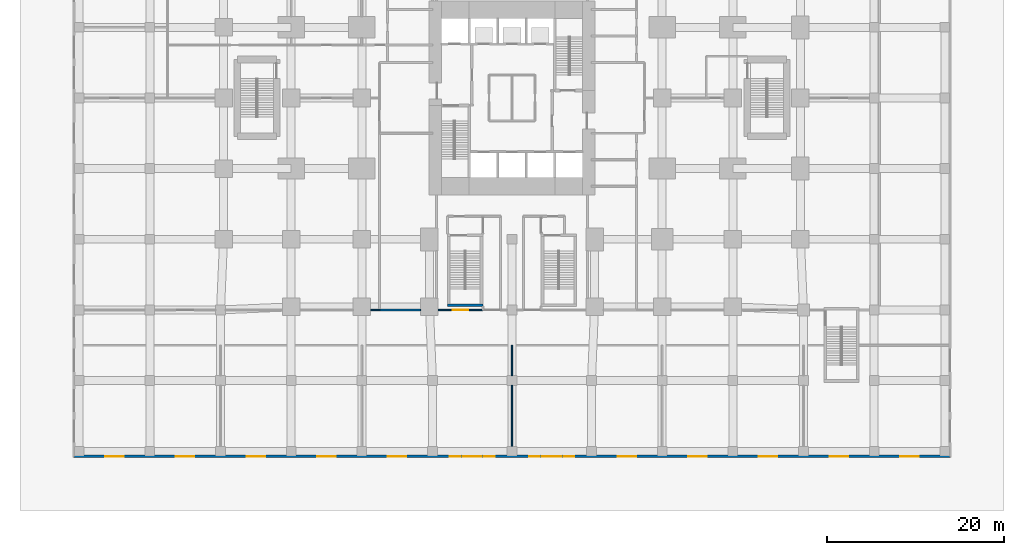
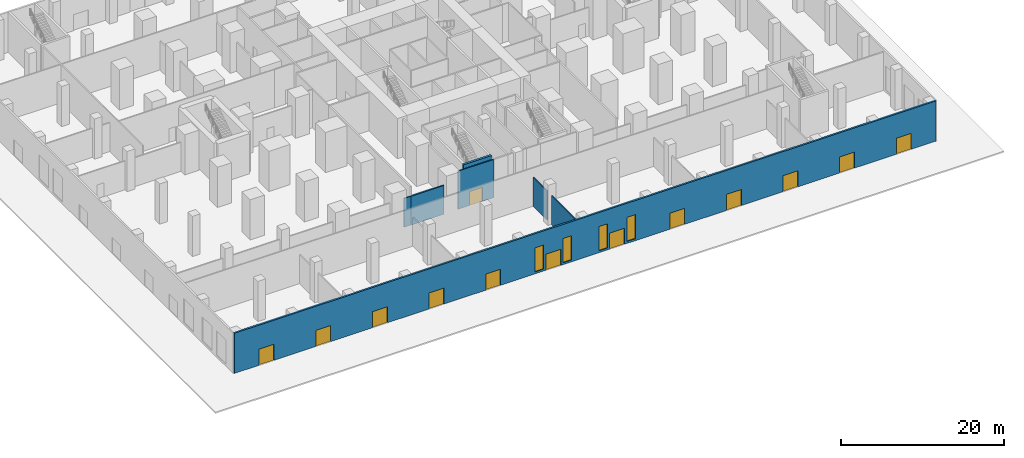
# One storey, part 4 of 16: 13 doors, 7 walls, 4 windows, 17 openings.
"""IFC4 building model written with IfcOpenShell, lengths in metres."""

from ifc_helpers import new_model, si_unit, direction, frame, frame_2d, origin, place, context, subcontext, project, spatial, rectangle, extrude, material, layer, layer_set, type_object, element, fill, save


model = new_model("IFC4")

# Units and contexts
model_context = context("Model", 3, precision=1e-05, world=origin(), true_north=direction((0.0, 1.0)))
body_context = subcontext(model_context, "Body", "Model", "MODEL_VIEW")
ifc_project = project(units=[si_unit("LENGTHUNIT", "METRE"), si_unit("AREAUNIT", "SQUARE_METRE"), si_unit("VOLUMEUNIT", "CUBIC_METRE"), si_unit("PLANEANGLEUNIT", "RADIAN"), si_unit("MASSUNIT", "GRAM", prefix="KILO")], contexts=[model_context])

# Site, building, storey
site_placement = place(None, origin())
site = spatial("IfcSite", under=ifc_project, at=site_placement, CompositionType="ELEMENT")
building_placement = place(site_placement, origin())
building = spatial("IfcBuilding", under=site, at=building_placement, Name="Cleftline Residences", CompositionType="ELEMENT")
storey_placement = place(building_placement, origin())
storey = spatial("IfcBuildingStorey", under=building, at=storey_placement, Name="L00", CompositionType="ELEMENT", Elevation=0.0)

# Wall, openings, doors, windows
ifc_material_1 = material(Name="Rendered reinforced concrete blockwork", Category="masonry")
ifc_layer_1 = layer(ifc_material_1, 0.25)
ifc_layer_set_1 = layer_set([ifc_layer_1], Name="EXTERNAL WALL 250")
wall_type_1 = type_object("IfcWallType", Name="EXTERNAL WALL 250", PredefinedType="SOLIDWALL", material=ifc_layer_set_1)
wall_1_placement = place(storey_placement, frame((-16.574951171875, -16.574951171875, 0.0), z_axis=(0.0, 0.0, 1.0), x_axis=(1.0, 0.0, 0.0)))
wall_1 = element("IfcWall", 1, at=wall_1_placement, inside=storey, type_object=wall_type_1, Name="External wall", PredefinedType="SOLIDWALL", context=body_context, shape_type="SweptSolid", body=[
    extrude(rectangle(XDim=99.14990234375, YDim=0.25, at=frame_2d((49.574951171875, 0.0))), origin(), (0.0, 0.0, 1.0), 6.0),
])
opening_1_placement = place(wall_1_placement, frame((3.52490234375, 0.0, 0.0)))
opening_1 = element("IfcOpeningElement", 2, at=opening_1_placement, cuts=wall_1, Name="Opening DE1", PredefinedType="OPENING", context=body_context, shape_type="SweptSolid", body=[
    extrude(rectangle(XDim=2.10009765625, YDim=2.39990234375, at=frame_2d((1.050048828125, 1.199951171875))), frame((0.0, 0.135009765625, 0.0), z_axis=(0.0, -1.0, 0.0), x_axis=(1.0, 0.0, 0.0)), (0.0, 0.0, 1.0), 0.27001953125),
])
opening_2_placement = place(wall_1_placement, frame((11.52490234375, 0.0, 0.0)))
opening_2 = element("IfcOpeningElement", 3, at=opening_2_placement, cuts=wall_1, Name="Opening DE1", PredefinedType="OPENING", context=body_context, shape_type="SweptSolid", body=[
    extrude(rectangle(XDim=2.10009765625, YDim=2.39990234375, at=frame_2d((1.050048828125, 1.199951171875))), frame((0.0, 0.135009765625, 0.0), z_axis=(0.0, -1.0, 0.0), x_axis=(1.0, 0.0, 0.0)), (0.0, 0.0, 1.0), 0.27001953125),
])
opening_3_placement = place(wall_1_placement, frame((19.52490234375, 0.0, 0.0)))
opening_3 = element("IfcOpeningElement", 4, at=opening_3_placement, cuts=wall_1, Name="Opening DE1", PredefinedType="OPENING", context=body_context, shape_type="SweptSolid", body=[
    extrude(rectangle(XDim=2.10009765625, YDim=2.39990234375, at=frame_2d((1.050048828125, 1.199951171875))), frame((0.0, 0.135009765625, 0.0), z_axis=(0.0, -1.0, 0.0), x_axis=(1.0, 0.0, 0.0)), (0.0, 0.0, 1.0), 0.27001953125),
])
opening_4_placement = place(wall_1_placement, frame((27.52490234375, 0.0, 0.0)))
opening_4 = element("IfcOpeningElement", 5, at=opening_4_placement, cuts=wall_1, Name="Opening DE1", PredefinedType="OPENING", context=body_context, shape_type="SweptSolid", body=[
    extrude(rectangle(XDim=2.10009765625, YDim=2.39990234375, at=frame_2d((1.050048828125, 1.199951171875))), frame((0.0, 0.135009765625, 0.0), z_axis=(0.0, -1.0, 0.0), x_axis=(1.0, 0.0, 0.0)), (0.0, 0.0, 1.0), 0.27001953125),
])
opening_5_placement = place(wall_1_placement, frame((35.52490234375, 0.0, 0.0)))
opening_5 = element("IfcOpeningElement", 6, at=opening_5_placement, cuts=wall_1, Name="Opening DE1", PredefinedType="OPENING", context=body_context, shape_type="SweptSolid", body=[
    extrude(rectangle(XDim=2.10009765625, YDim=2.39990234375, at=frame_2d((1.050048828125, 1.199951171875))), frame((0.0, 0.135009765625, 0.0), z_axis=(0.0, -1.0, 0.0), x_axis=(1.0, 0.0, 0.0)), (0.0, 0.0, 1.0), 0.27001953125),
])
opening_6_placement = place(wall_1_placement, frame((44.02490234375, 0.0, 0.0)))
opening_6 = element("IfcOpeningElement", 7, at=opening_6_placement, cuts=wall_1, Name="Opening DE1", PredefinedType="OPENING", context=body_context, shape_type="SweptSolid", body=[
    extrude(rectangle(XDim=2.10009765625, YDim=2.39990234375, at=frame_2d((1.050048828125, 1.199951171875))), frame((0.0, 0.135009765625, 0.0), z_axis=(0.0, -1.0, 0.0), x_axis=(1.0, 0.0, 0.0)), (0.0, 0.0, 1.0), 0.27001953125),
])
opening_7_placement = place(wall_1_placement, frame((42.5, 0.0, 0.300048828125)))
opening_7 = element("IfcOpeningElement", 8, at=opening_7_placement, cuts=wall_1, Name="Opening W2", PredefinedType="OPENING", context=body_context, shape_type="SweptSolid", body=[
    extrude(rectangle(XDim=1.199951171875, YDim=3.60009765625, at=frame_2d((0.60009765625, 1.800048828125))), frame((0.0, 0.135009765625, 0.0), z_axis=(0.0, -1.0, 0.0), x_axis=(1.0, 0.0, 0.0)), (0.0, 0.0, 1.0), 0.27001953125),
])
opening_8_placement = place(wall_1_placement, frame((46.449951171875, 0.0, 0.300048828125)))
opening_8 = element("IfcOpeningElement", 9, at=opening_8_placement, cuts=wall_1, Name="Opening W2", PredefinedType="OPENING", context=body_context, shape_type="SweptSolid", body=[
    extrude(rectangle(XDim=1.199951171875, YDim=3.60009765625, at=frame_2d((0.60009765625, 1.800048828125))), frame((0.0, 0.135009765625, 0.0), z_axis=(0.0, -1.0, 0.0), x_axis=(1.0, 0.0, 0.0)), (0.0, 0.0, 1.0), 0.27001953125),
])
opening_9_placement = place(wall_1_placement, frame((53.02490234375, 0.0, 0.0)))
opening_9 = element("IfcOpeningElement", 10, at=opening_9_placement, cuts=wall_1, Name="Opening DE1", PredefinedType="OPENING", context=body_context, shape_type="SweptSolid", body=[
    extrude(rectangle(XDim=2.10009765625, YDim=2.39990234375, at=frame_2d((1.050048828125, 1.199951171875))), frame((0.0, 0.135009765625, 0.0), z_axis=(0.0, -1.0, 0.0), x_axis=(1.0, 0.0, 0.0)), (0.0, 0.0, 1.0), 0.27001953125),
])
opening_10_placement = place(wall_1_placement, frame((61.52490234375, 0.0, 0.0)))
opening_10 = element("IfcOpeningElement", 11, at=opening_10_placement, cuts=wall_1, Name="Opening DE1", PredefinedType="OPENING", context=body_context, shape_type="SweptSolid", body=[
    extrude(rectangle(XDim=2.10009765625, YDim=2.39990234375, at=frame_2d((1.050048828125, 1.199951171875))), frame((0.0, 0.135009765625, 0.0), z_axis=(0.0, -1.0, 0.0), x_axis=(1.0, 0.0, 0.0)), (0.0, 0.0, 1.0), 0.27001953125),
])
opening_11_placement = place(wall_1_placement, frame((51.5, 0.0, 0.300048828125)))
opening_11 = element("IfcOpeningElement", 12, at=opening_11_placement, cuts=wall_1, Name="Opening W2", PredefinedType="OPENING", context=body_context, shape_type="SweptSolid", body=[
    extrude(rectangle(XDim=1.199951171875, YDim=3.60009765625, at=frame_2d((0.60009765625, 1.800048828125))), frame((0.0, 0.135009765625, 0.0), z_axis=(0.0, -1.0, 0.0), x_axis=(1.0, 0.0, 0.0)), (0.0, 0.0, 1.0), 0.27001953125),
])
opening_12_placement = place(wall_1_placement, frame((55.449951171875, 0.0, 0.300048828125)))
opening_12 = element("IfcOpeningElement", 13, at=opening_12_placement, cuts=wall_1, Name="Opening W2", PredefinedType="OPENING", context=body_context, shape_type="SweptSolid", body=[
    extrude(rectangle(XDim=1.199951171875, YDim=3.60009765625, at=frame_2d((0.60009765625, 1.800048828125))), frame((0.0, 0.135009765625, 0.0), z_axis=(0.0, -1.0, 0.0), x_axis=(1.0, 0.0, 0.0)), (0.0, 0.0, 1.0), 0.27001953125),
])
opening_13_placement = place(wall_1_placement, frame((69.52490234375, 0.0, 0.0)))
opening_13 = element("IfcOpeningElement", 14, at=opening_13_placement, cuts=wall_1, Name="Opening DE1", PredefinedType="OPENING", context=body_context, shape_type="SweptSolid", body=[
    extrude(rectangle(XDim=2.10009765625, YDim=2.39990234375, at=frame_2d((1.050048828125, 1.199951171875))), frame((0.0, 0.135009765625, 0.0), z_axis=(0.0, -1.0, 0.0), x_axis=(1.0, 0.0, 0.0)), (0.0, 0.0, 1.0), 0.27001953125),
])
opening_14_placement = place(wall_1_placement, frame((77.52490234375, 0.0, 0.0)))
opening_14 = element("IfcOpeningElement", 15, at=opening_14_placement, cuts=wall_1, Name="Opening DE1", PredefinedType="OPENING", context=body_context, shape_type="SweptSolid", body=[
    extrude(rectangle(XDim=2.10009765625, YDim=2.39990234375, at=frame_2d((1.050048828125, 1.199951171875))), frame((0.0, 0.135009765625, 0.0), z_axis=(0.0, -1.0, 0.0), x_axis=(1.0, 0.0, 0.0)), (0.0, 0.0, 1.0), 0.27001953125),
])
opening_15_placement = place(wall_1_placement, frame((85.52490234375, 0.0, 0.0)))
opening_15 = element("IfcOpeningElement", 16, at=opening_15_placement, cuts=wall_1, Name="Opening DE1", PredefinedType="OPENING", context=body_context, shape_type="SweptSolid", body=[
    extrude(rectangle(XDim=2.10009765625, YDim=2.39990234375, at=frame_2d((1.050048828125, 1.199951171875))), frame((0.0, 0.135009765625, 0.0), z_axis=(0.0, -1.0, 0.0), x_axis=(1.0, 0.0, 0.0)), (0.0, 0.0, 1.0), 0.27001953125),
])
opening_16_placement = place(wall_1_placement, frame((93.52490234375, 0.0, 0.0)))
opening_16 = element("IfcOpeningElement", 17, at=opening_16_placement, cuts=wall_1, Name="Opening DE1", PredefinedType="OPENING", context=body_context, shape_type="SweptSolid", body=[
    extrude(rectangle(XDim=2.10009765625, YDim=2.39990234375, at=frame_2d((1.050048828125, 1.199951171875))), frame((0.0, 0.135009765625, 0.0), z_axis=(0.0, -1.0, 0.0), x_axis=(1.0, 0.0, 0.0)), (0.0, 0.0, 1.0), 0.27001953125),
])
ifc_material_2 = material(Name="Aluminium and laminated glass", Category="aluminium")
door_type_1 = type_object("IfcDoorType", Name="ENTRANCE DOOR 2100X2400", OperationType="DOUBLE_DOOR_DOUBLE_SWING", PredefinedType="DOOR", material=ifc_material_2)
door_1_placement = place(opening_1_placement, origin())
door_1 = element("IfcDoor", 18, at=door_1_placement, inside=storey, type_object=door_type_1, Name="Entrance door", OperationType="DOUBLE_DOOR_DOUBLE_SWING", OverallHeight=2.39990234375, OverallWidth=2.10009765625, PredefinedType="DOOR", context=body_context, shape_type="SweptSolid", body=[
    extrude(rectangle(XDim=2.10009765625, YDim=2.39990234375, at=frame_2d((1.050048828125, 1.199951171875))), frame((0.0, 0.02490234375, 0.0), z_axis=(0.0, -1.0, 0.0), x_axis=(1.0, 0.0, 0.0)), (0.0, 0.0, 1.0), 0.050048828125),
])
fill(opening_1, door_1)
door_2_placement = place(opening_2_placement, origin())
door_2 = element("IfcDoor", 19, at=door_2_placement, inside=storey, type_object=door_type_1, Name="Entrance door", OperationType="DOUBLE_DOOR_DOUBLE_SWING", OverallHeight=2.39990234375, OverallWidth=2.10009765625, PredefinedType="DOOR", context=body_context, shape_type="SweptSolid", body=[
    extrude(rectangle(XDim=2.10009765625, YDim=2.39990234375, at=frame_2d((1.050048828125, 1.199951171875))), frame((0.0, 0.02490234375, 0.0), z_axis=(0.0, -1.0, 0.0), x_axis=(1.0, 0.0, 0.0)), (0.0, 0.0, 1.0), 0.050048828125),
])
fill(opening_2, door_2)
door_3_placement = place(opening_3_placement, origin())
door_3 = element("IfcDoor", 20, at=door_3_placement, inside=storey, type_object=door_type_1, Name="Entrance door", OperationType="DOUBLE_DOOR_DOUBLE_SWING", OverallHeight=2.39990234375, OverallWidth=2.10009765625, PredefinedType="DOOR", context=body_context, shape_type="SweptSolid", body=[
    extrude(rectangle(XDim=2.10009765625, YDim=2.39990234375, at=frame_2d((1.050048828125, 1.199951171875))), frame((0.0, 0.02490234375, 0.0), z_axis=(0.0, -1.0, 0.0), x_axis=(1.0, 0.0, 0.0)), (0.0, 0.0, 1.0), 0.050048828125),
])
fill(opening_3, door_3)
door_4_placement = place(opening_4_placement, origin())
door_4 = element("IfcDoor", 21, at=door_4_placement, inside=storey, type_object=door_type_1, Name="Entrance door", OperationType="DOUBLE_DOOR_DOUBLE_SWING", OverallHeight=2.39990234375, OverallWidth=2.10009765625, PredefinedType="DOOR", context=body_context, shape_type="SweptSolid", body=[
    extrude(rectangle(XDim=2.10009765625, YDim=2.39990234375, at=frame_2d((1.050048828125, 1.199951171875))), frame((0.0, 0.02490234375, 0.0), z_axis=(0.0, -1.0, 0.0), x_axis=(1.0, 0.0, 0.0)), (0.0, 0.0, 1.0), 0.050048828125),
])
fill(opening_4, door_4)
door_5_placement = place(opening_5_placement, origin())
door_5 = element("IfcDoor", 22, at=door_5_placement, inside=storey, type_object=door_type_1, Name="Entrance door", OperationType="DOUBLE_DOOR_DOUBLE_SWING", OverallHeight=2.39990234375, OverallWidth=2.10009765625, PredefinedType="DOOR", context=body_context, shape_type="SweptSolid", body=[
    extrude(rectangle(XDim=2.10009765625, YDim=2.39990234375, at=frame_2d((1.050048828125, 1.199951171875))), frame((0.0, 0.02490234375, 0.0), z_axis=(0.0, -1.0, 0.0), x_axis=(1.0, 0.0, 0.0)), (0.0, 0.0, 1.0), 0.050048828125),
])
fill(opening_5, door_5)
door_6_placement = place(opening_6_placement, origin())
door_6 = element("IfcDoor", 23, at=door_6_placement, inside=storey, type_object=door_type_1, Name="Entrance door", OperationType="DOUBLE_DOOR_DOUBLE_SWING", OverallHeight=2.39990234375, OverallWidth=2.10009765625, PredefinedType="DOOR", context=body_context, shape_type="SweptSolid", body=[
    extrude(rectangle(XDim=2.10009765625, YDim=2.39990234375, at=frame_2d((1.050048828125, 1.199951171875))), frame((0.0, 0.02490234375, 0.0), z_axis=(0.0, -1.0, 0.0), x_axis=(1.0, 0.0, 0.0)), (0.0, 0.0, 1.0), 0.050048828125),
])
fill(opening_6, door_6)
door_7_placement = place(opening_9_placement, origin())
door_7 = element("IfcDoor", 24, at=door_7_placement, inside=storey, type_object=door_type_1, Name="Entrance door", OperationType="DOUBLE_DOOR_DOUBLE_SWING", OverallHeight=2.39990234375, OverallWidth=2.10009765625, PredefinedType="DOOR", context=body_context, shape_type="SweptSolid", body=[
    extrude(rectangle(XDim=2.10009765625, YDim=2.39990234375, at=frame_2d((1.050048828125, 1.199951171875))), frame((0.0, 0.02490234375, 0.0), z_axis=(0.0, -1.0, 0.0), x_axis=(1.0, 0.0, 0.0)), (0.0, 0.0, 1.0), 0.050048828125),
])
fill(opening_9, door_7)
door_8_placement = place(opening_10_placement, origin())
door_8 = element("IfcDoor", 25, at=door_8_placement, inside=storey, type_object=door_type_1, Name="Entrance door", OperationType="DOUBLE_DOOR_DOUBLE_SWING", OverallHeight=2.39990234375, OverallWidth=2.10009765625, PredefinedType="DOOR", context=body_context, shape_type="SweptSolid", body=[
    extrude(rectangle(XDim=2.10009765625, YDim=2.39990234375, at=frame_2d((1.050048828125, 1.199951171875))), frame((0.0, 0.02490234375, 0.0), z_axis=(0.0, -1.0, 0.0), x_axis=(1.0, 0.0, 0.0)), (0.0, 0.0, 1.0), 0.050048828125),
])
fill(opening_10, door_8)
door_9_placement = place(opening_13_placement, origin())
door_9 = element("IfcDoor", 26, at=door_9_placement, inside=storey, type_object=door_type_1, Name="Entrance door", OperationType="DOUBLE_DOOR_DOUBLE_SWING", OverallHeight=2.39990234375, OverallWidth=2.10009765625, PredefinedType="DOOR", context=body_context, shape_type="SweptSolid", body=[
    extrude(rectangle(XDim=2.10009765625, YDim=2.39990234375, at=frame_2d((1.050048828125, 1.199951171875))), frame((0.0, 0.02490234375, 0.0), z_axis=(0.0, -1.0, 0.0), x_axis=(1.0, 0.0, 0.0)), (0.0, 0.0, 1.0), 0.050048828125),
])
fill(opening_13, door_9)
door_10_placement = place(opening_14_placement, origin())
door_10 = element("IfcDoor", 27, at=door_10_placement, inside=storey, type_object=door_type_1, Name="Entrance door", OperationType="DOUBLE_DOOR_DOUBLE_SWING", OverallHeight=2.39990234375, OverallWidth=2.10009765625, PredefinedType="DOOR", context=body_context, shape_type="SweptSolid", body=[
    extrude(rectangle(XDim=2.10009765625, YDim=2.39990234375, at=frame_2d((1.050048828125, 1.199951171875))), frame((0.0, 0.02490234375, 0.0), z_axis=(0.0, -1.0, 0.0), x_axis=(1.0, 0.0, 0.0)), (0.0, 0.0, 1.0), 0.050048828125),
])
fill(opening_14, door_10)
door_11_placement = place(opening_15_placement, origin())
door_11 = element("IfcDoor", 28, at=door_11_placement, inside=storey, type_object=door_type_1, Name="Entrance door", OperationType="DOUBLE_DOOR_DOUBLE_SWING", OverallHeight=2.39990234375, OverallWidth=2.10009765625, PredefinedType="DOOR", context=body_context, shape_type="SweptSolid", body=[
    extrude(rectangle(XDim=2.10009765625, YDim=2.39990234375, at=frame_2d((1.050048828125, 1.199951171875))), frame((0.0, 0.02490234375, 0.0), z_axis=(0.0, -1.0, 0.0), x_axis=(1.0, 0.0, 0.0)), (0.0, 0.0, 1.0), 0.050048828125),
])
fill(opening_15, door_11)
door_12_placement = place(opening_16_placement, origin())
door_12 = element("IfcDoor", 29, at=door_12_placement, inside=storey, type_object=door_type_1, Name="Entrance door", OperationType="DOUBLE_DOOR_DOUBLE_SWING", OverallHeight=2.39990234375, OverallWidth=2.10009765625, PredefinedType="DOOR", context=body_context, shape_type="SweptSolid", body=[
    extrude(rectangle(XDim=2.10009765625, YDim=2.39990234375, at=frame_2d((1.050048828125, 1.199951171875))), frame((0.0, 0.02490234375, 0.0), z_axis=(0.0, -1.0, 0.0), x_axis=(1.0, 0.0, 0.0)), (0.0, 0.0, 1.0), 0.050048828125),
])
fill(opening_16, door_12)
ifc_material_3 = material(Name="Aluminium frame, clear double glazing", Category="aluminium")
window_type = type_object("IfcWindowType", Name="WINDOW 1200X3600", PartitioningType="DOUBLE_PANEL_VERTICAL", PredefinedType="WINDOW", material=ifc_material_3)
window_1_placement = place(opening_7_placement, origin())
window_1 = element("IfcWindow", 30, at=window_1_placement, inside=storey, type_object=window_type, Name="Window", OverallHeight=3.60009765625, OverallWidth=1.199951171875, PartitioningType="SINGLE_PANEL", PredefinedType="WINDOW", context=body_context, shape_type="SweptSolid", body=[
    extrude(rectangle(XDim=1.199951171875, YDim=3.60009765625, at=frame_2d((0.60009765625, 1.800048828125))), frame((0.0, 0.030029296875, 0.0), z_axis=(0.0, -1.0, 0.0), x_axis=(1.0, 0.0, 0.0)), (0.0, 0.0, 1.0), 0.06005859375),
])
fill(opening_7, window_1)
window_2_placement = place(opening_8_placement, origin())
window_2 = element("IfcWindow", 31, at=window_2_placement, inside=storey, type_object=window_type, Name="Window", OverallHeight=3.60009765625, OverallWidth=1.199951171875, PartitioningType="SINGLE_PANEL", PredefinedType="WINDOW", context=body_context, shape_type="SweptSolid", body=[
    extrude(rectangle(XDim=1.199951171875, YDim=3.60009765625, at=frame_2d((0.60009765625, 1.800048828125))), frame((0.0, 0.030029296875, 0.0), z_axis=(0.0, -1.0, 0.0), x_axis=(1.0, 0.0, 0.0)), (0.0, 0.0, 1.0), 0.06005859375),
])
fill(opening_8, window_2)
window_3_placement = place(opening_11_placement, origin())
window_3 = element("IfcWindow", 32, at=window_3_placement, inside=storey, type_object=window_type, Name="Window", OverallHeight=3.60009765625, OverallWidth=1.199951171875, PartitioningType="SINGLE_PANEL", PredefinedType="WINDOW", context=body_context, shape_type="SweptSolid", body=[
    extrude(rectangle(XDim=1.199951171875, YDim=3.60009765625, at=frame_2d((0.60009765625, 1.800048828125))), frame((0.0, 0.030029296875, 0.0), z_axis=(0.0, -1.0, 0.0), x_axis=(1.0, 0.0, 0.0)), (0.0, 0.0, 1.0), 0.06005859375),
])
fill(opening_11, window_3)
window_4_placement = place(opening_12_placement, origin())
window_4 = element("IfcWindow", 33, at=window_4_placement, inside=storey, type_object=window_type, Name="Window", OverallHeight=3.60009765625, OverallWidth=1.199951171875, PartitioningType="SINGLE_PANEL", PredefinedType="WINDOW", context=body_context, shape_type="SweptSolid", body=[
    extrude(rectangle(XDim=1.199951171875, YDim=3.60009765625, at=frame_2d((0.60009765625, 1.800048828125))), frame((0.0, 0.030029296875, 0.0), z_axis=(0.0, -1.0, 0.0), x_axis=(1.0, 0.0, 0.0)), (0.0, 0.0, 1.0), 0.06005859375),
])
fill(opening_12, window_4)

# Walls
ifc_material_4 = material(Name="Concrete blockwork, fire rated", Category="masonry")
ifc_layer_2 = layer(ifc_material_4, 0.199951171875)
ifc_layer_set_2 = layer_set([ifc_layer_2], Name="FIRE WALL 200")
wall_type_2 = type_object("IfcWallType", Name="FIRE WALL 200", PredefinedType="PARTITIONING", material=ifc_layer_set_2)
wall_2_placement = place(storey_placement, frame((18.0, 0.0, 0.0), z_axis=(0.0, 0.0, 1.0), x_axis=(1.0, 0.0, 0.0)))
element("IfcWall", 34, at=wall_2_placement, inside=storey, type_object=wall_type_2, Name="Fire separating wall", PredefinedType="PARTITIONING", context=body_context, shape_type="SweptSolid", body=[
    extrude(rectangle(XDim=4.64990234375, YDim=0.199951171875, at=frame_2d((2.324951171875, 0.0))), origin(), (0.0, 0.0, 1.0), 4.300048828125),
])
ifc_material_5 = material(Name="Gypsum board on steel studs", Category="steel")
ifc_layer_3 = layer(ifc_material_5, 0.14990234375)
ifc_layer_set_3 = layer_set([ifc_layer_3], Name="PARTITION 150")
wall_type_3 = type_object("IfcWallType", Name="PARTITION 150", PredefinedType="PARTITIONING", material=ifc_layer_set_3)
wall_3_placement = place(storey_placement, frame((17.0, 0.0, 0.0), z_axis=(0.0, 0.0, 1.0), x_axis=(1.0, 0.0, 0.0)))
element("IfcWall", 35, at=wall_3_placement, inside=storey, type_object=wall_type_3, Name="Partition", PredefinedType="PARTITIONING", context=body_context, shape_type="SweptSolid", body=[
    extrude(rectangle(XDim=1.0, YDim=0.14990234375, at=frame_2d((0.5, 0.0))), origin(), (0.0, 0.0, 1.0), 4.300048828125),
])

# Wall, opening, door
wall_4_placement = place(storey_placement, frame((24.64990234375, 0.0, 0.0), z_axis=(0.0, 0.0, 1.0), x_axis=(1.0, 0.0, 0.0)))
wall_4 = element("IfcWall", 36, at=wall_4_placement, inside=storey, type_object=wall_type_3, Name="Partition", PredefinedType="PARTITIONING", context=body_context, shape_type="SweptSolid", body=[
    extrude(rectangle(XDim=5.050048828125, YDim=0.14990234375, at=frame_2d((2.52490234375, 0.0))), origin(), (0.0, 0.0, 1.0), 5.699951171875),
])
opening_17_placement = place(wall_4_placement, frame((1.625, 0.0, 0.0)))
opening_17 = element("IfcOpeningElement", 37, at=opening_17_placement, cuts=wall_4, Name="Opening D3", PredefinedType="OPENING", context=body_context, shape_type="SweptSolid", body=[
    extrude(rectangle(XDim=1.800048828125, YDim=2.10009765625, at=frame_2d((0.89990234375, 1.050048828125))), frame((0.0, 0.0849609375, 0.0), z_axis=(0.0, -1.0, 0.0), x_axis=(1.0, 0.0, 0.0)), (0.0, 0.0, 1.0), 0.169921875),
])
ifc_material_6 = material(Name="Timber veneer on solid core", Category="wood")
door_type_2 = type_object("IfcDoorType", Name="DOUBLE DOOR 1800X2100", OperationType="DOUBLE_DOOR_DOUBLE_SWING", PredefinedType="DOOR", material=ifc_material_6)
door_13_placement = place(opening_17_placement, origin())
door_13 = element("IfcDoor", 38, at=door_13_placement, inside=storey, type_object=door_type_2, Name="Door to cafe", OperationType="DOUBLE_DOOR_DOUBLE_SWING", OverallHeight=2.10009765625, OverallWidth=1.800048828125, PredefinedType="DOOR", context=body_context, shape_type="SweptSolid", body=[
    extrude(rectangle(XDim=1.800048828125, YDim=2.10009765625, at=frame_2d((0.89990234375, 1.050048828125))), frame((0.0, 0.02490234375, 0.0), z_axis=(0.0, -1.0, 0.0), x_axis=(1.0, 0.0, 0.0)), (0.0, 0.0, 1.0), 0.050048828125),
])
fill(opening_17, door_13)

# Walls
wall_5_placement = place(storey_placement, frame((33.0, -15.449951171875, 0.0), z_axis=(0.0, 0.0, 1.0), x_axis=(0.0, 1.0, 0.0)))
element("IfcWall", 39, at=wall_5_placement, inside=storey, type_object=wall_type_3, Name="Partition", PredefinedType="PARTITIONING", context=body_context, shape_type="SweptSolid", body=[
    extrude(rectangle(XDim=6.89990234375, YDim=0.14990234375, at=frame_2d((3.449951171875, 0.0))), origin(), (0.0, 0.0, 1.0), 4.300048828125),
])
wall_6_placement = place(storey_placement, frame((33.0, -7.449951171875, 0.0), z_axis=(0.0, 0.0, 1.0), x_axis=(0.0, 1.0, 0.0)))
element("IfcWall", 40, at=wall_6_placement, inside=storey, type_object=wall_type_3, Name="Partition", PredefinedType="PARTITIONING", context=body_context, shape_type="SweptSolid", body=[
    extrude(rectangle(XDim=3.449951171875, YDim=0.14990234375, at=frame_2d((1.72509765625, 0.0))), origin(), (0.0, 0.0, 1.0), 4.300048828125),
])
ifc_material_7 = material(Name="Concrete blockwork, fire rated", Category="masonry")
ifc_layer_4 = layer(ifc_material_7, 0.300048828125)
ifc_layer_set_4 = layer_set([ifc_layer_4], Name="STAIR ENCLOSURE WALL 300")
wall_type_4 = type_object("IfcWallType", Name="STAIR ENCLOSURE WALL 300", PredefinedType="PARTITIONING", material=ifc_layer_set_4)
wall_7_placement = place(storey_placement, frame((25.699951171875, 0.550048828125, 0.0), z_axis=(0.0, 0.0, 1.0), x_axis=(1.0, 0.0, 0.0)))
element("IfcWall", 41, at=wall_7_placement, inside=storey, type_object=wall_type_4, Name="Stair C enclosure", PredefinedType="PARTITIONING", context=body_context, shape_type="SweptSolid", body=[
    extrude(rectangle(XDim=4.0, YDim=0.300048828125, at=frame_2d((2.0, 0.0))), origin(), (0.0, 0.0, 1.0), 6.0),
])

save(model, "model.ifc")
